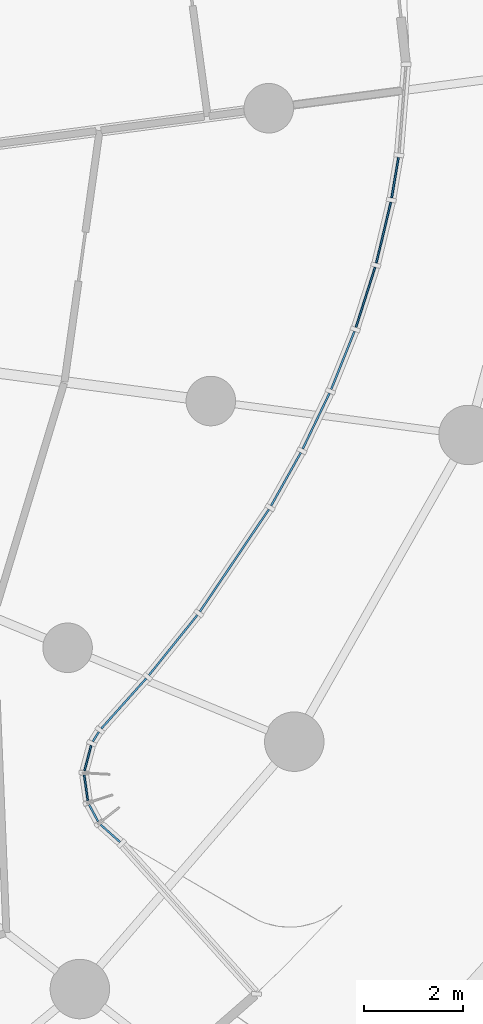
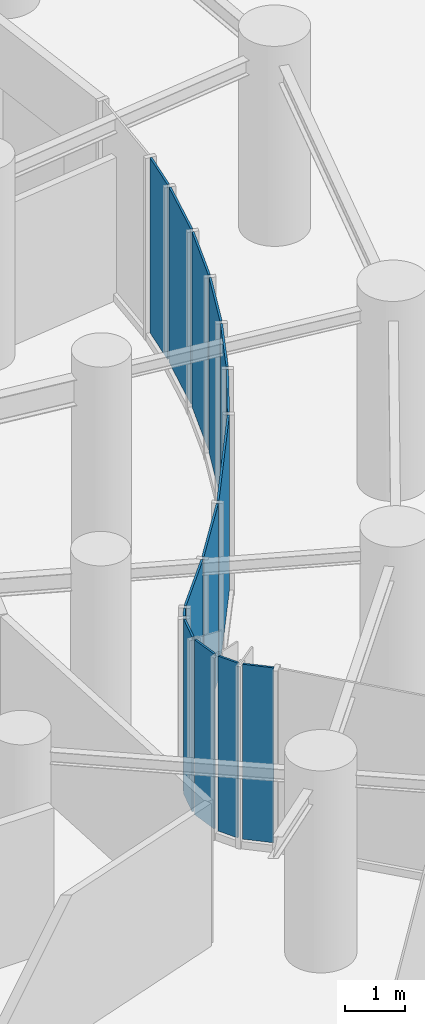
# One storey, part 10 of 24: 14 plates, 3 elements without a shape of their own.
"""IFC4 building model written with IfcOpenShell, lengths in metres."""

from ifc_helpers import new_model, si_unit, direction, frame, origin, origin_2d, place, context, subcontext, project, spatial, rectangle, extrude, source, transform, mapped, material, layer, layer_set, type_object, element, aggregate, save


model = new_model("IFC4")

# Units and contexts
model_context = context("Model", 3, precision=1e-05, world=origin(), true_north=direction((0.0, 1.0)))
body_context = subcontext(model_context, "Body", "Model", "MODEL_VIEW")
ifc_project = project(units=[si_unit("LENGTHUNIT", "METRE"), si_unit("AREAUNIT", "SQUARE_METRE"), si_unit("VOLUMEUNIT", "CUBIC_METRE"), si_unit("PLANEANGLEUNIT", "RADIAN"), si_unit("MASSUNIT", "GRAM", prefix="KILO")], contexts=[model_context])

# Site, building, storey
site_placement = place(None, origin())
site = spatial("IfcSite", under=ifc_project, at=site_placement, CompositionType="ELEMENT")
building_placement = place(site_placement, origin())
building = spatial("IfcBuilding", under=site, at=building_placement, Name="Spindrift Exchange Tower", CompositionType="ELEMENT")
storey_placement = place(building_placement, frame((0.0, 0.0, 79.800048828125)))
storey = spatial("IfcBuildingStorey", under=building, at=storey_placement, Name="L18", CompositionType="ELEMENT", Elevation=79.800048828125)

# Curtain wall, plates
ifc_material_1 = material(Name="Fritted laminated glass with bronze frame", Category="glass")
ifc_layer_1 = layer(ifc_material_1, 0.199951171875)
ifc_layer_set_1 = layer_set([ifc_layer_1], Name="SKY GARDEN BRONZE GLAZED WALL")
curtain_wall_type = type_object("IfcCurtainWallType", Name="SKY GARDEN BRONZE GLAZED WALL", PredefinedType="NOTDEFINED", material=ifc_layer_set_1)
curtain_wall_1_placement = place(storey_placement, origin())
curtain_wall_1 = element("IfcCurtainWall", 1, at=curtain_wall_1_placement, inside=storey, type_object=curtain_wall_type, Name="L18 Sky Garden Bronze Glazed Wall run 7", PredefinedType="NOTDEFINED")
ifc_material_2 = material(Name="Bronze tinted laminated glass, clear vision", Category="glass")
ifc_layer_2 = layer(ifc_material_2, 0.0380859375)
ifc_layer_set_2 = layer_set([ifc_layer_2], Name="SKY GARDEN BRONZE GLAZED WALL PANEL CLEAR 1200")
plate_type_1 = type_object("IfcPlateType", Name="SKY GARDEN BRONZE GLAZED WALL PANEL CLEAR 1200", PredefinedType="CURTAIN_PANEL", material=ifc_layer_set_2)
shared_shape_1 = source(origin(), body_context, "Body", "SweptSolid", [
    extrude(rectangle(XDim=0.52880859375, YDim=0.0380859375, at=origin_2d()), origin(), (0.0, 0.0, 1.0), 3.550048828125),
])
plate_1_placement = place(storey_placement, frame((71.835693359375, 36.39404296875, 0.14990234375), z_axis=(0.0, 0.0, 1.0), x_axis=(-0.745743502894, 0.666233163308, 0.0)))
plate_1 = element("IfcPlate", 2, at=plate_1_placement, type_object=plate_type_1, Name="L18 panel CW-G.37", PredefinedType="CURTAIN_PANEL", context=body_context, shape_type="MappedRepresentation", body=[
    mapped(shared_shape_1, transform((0.0, 0.0, 0.0), scale=1.0)),
])
shared_shape_2 = source(origin(), body_context, "Body", "SweptSolid", [
    extrude(rectangle(XDim=0.38330078125, YDim=0.0380859375, at=origin_2d()), origin(), (0.0, 0.0, 1.0), 3.550048828125),
])
plate_2_placement = place(storey_placement, frame((71.49658203125, 36.80517578125, 0.14990234375), z_axis=(0.0, 0.0, 1.0), x_axis=(-0.471130426306, 0.882063558599, 0.0)))
plate_2 = element("IfcPlate", 3, at=plate_2_placement, type_object=plate_type_1, Name="L18 panel CW-G.38", PredefinedType="CURTAIN_PANEL", context=body_context, shape_type="MappedRepresentation", body=[
    mapped(shared_shape_2, transform((0.0, 0.0, 0.0), scale=1.0)),
])
ifc_layer_3 = layer(ifc_material_2, 0.0380859375)
ifc_layer_set_3 = layer_set([ifc_layer_3], Name="SKY GARDEN BRONZE GLAZED WALL PANEL CLEAR 1560")
plate_type_2 = type_object("IfcPlateType", Name="SKY GARDEN BRONZE GLAZED WALL PANEL CLEAR 1560", PredefinedType="CURTAIN_PANEL", material=ifc_layer_set_3)
shared_shape_3 = source(origin(), body_context, "Body", "SweptSolid", [
    extrude(rectangle(XDim=0.526123046875, YDim=0.0380859375, at=origin_2d()), origin(), (0.0, 0.0, 1.0), 3.550048828125),
])
plate_3_placement = place(storey_placement, frame((71.343505859375, 37.314453125, 0.14990234375), z_axis=(0.0, 0.0, 1.0), x_axis=(-0.140047588551, 0.990144773728, 0.0)))
plate_3 = element("IfcPlate", 4, at=plate_3_placement, type_object=plate_type_2, Name="L18 panel CW-G.39", PredefinedType="CURTAIN_PANEL", context=body_context, shape_type="MappedRepresentation", body=[
    mapped(shared_shape_3, transform((0.0, 0.0, 0.0), scale=1.0)),
])
shared_shape_4 = source(origin(), body_context, "Body", "SweptSolid", [
    extrude(rectangle(XDim=0.53125, YDim=0.0380859375, at=origin_2d()), origin(), (0.0, 0.0, 1.0), 3.550048828125),
])
plate_4_placement = place(storey_placement, frame((71.37939453125, 37.914794921875, 0.14990234375), z_axis=(0.0, 0.0, 1.0), x_axis=(0.255268574007, 0.966870185249, 0.0)))
plate_4 = element("IfcPlate", 5, at=plate_4_placement, type_object=plate_type_1, Name="L18 panel CW-G.40", PredefinedType="CURTAIN_PANEL", context=body_context, shape_type="MappedRepresentation", body=[
    mapped(shared_shape_4, transform((0.0, 0.0, 0.0), scale=1.0)),
])
shared_shape_5 = source(origin(), body_context, "Body", "SweptSolid", [
    extrude(rectangle(XDim=0.2294921875, YDim=0.0380859375, at=origin_2d()), origin(), (0.0, 0.0, 1.0), 3.550048828125),
])
plate_5_placement = place(storey_placement, frame((71.54150390625, 38.34619140625, 0.14990234375), z_axis=(0.0, 0.0, 1.0), x_axis=(0.531083620885, 0.847319412989, 0.0)))
plate_5 = element("IfcPlate", 6, at=plate_5_placement, type_object=plate_type_2, Name="L18 panel CW-G.41", PredefinedType="CURTAIN_PANEL", context=body_context, shape_type="MappedRepresentation", body=[
    mapped(shared_shape_5, transform((0.0, 0.0, 0.0), scale=1.0)),
])
aggregate(curtain_wall_1, [plate_1, plate_2, plate_3, plate_4, plate_5])

curtain_wall_2_placement = place(storey_placement, origin())
curtain_wall_2 = element("IfcCurtainWall", 7, at=curtain_wall_2_placement, inside=storey, type_object=curtain_wall_type, Name="L18 Sky Garden Bronze Glazed Wall run 8", PredefinedType="NOTDEFINED")
shared_shape_6 = source(origin(), body_context, "Body", "SweptSolid", [
    extrude(rectangle(XDim=1.35791015625, YDim=0.0380859375, at=origin_2d()), origin(), (0.0, 0.0, 1.0), 3.550048828125),
])
plate_6_placement = place(storey_placement, frame((72.106201171875, 39.016845703125, 0.14990234375), z_axis=(0.0, 0.0, 1.0), x_axis=(0.667047547034, 0.745015147494, 0.0)))
plate_6 = element("IfcPlate", 8, at=plate_6_placement, type_object=plate_type_1, Name="L18 panel CW-G.42", PredefinedType="CURTAIN_PANEL", context=body_context, shape_type="MappedRepresentation", body=[
    mapped(shared_shape_6, transform((0.0, 0.0, 0.0), scale=1.0)),
])
shared_shape_7 = source(origin(), body_context, "Body", "SweptSolid", [
    extrude(rectangle(XDim=1.560791015625, YDim=0.0380859375, at=origin_2d()), origin(), (0.0, 0.0, 1.0), 3.550048828125),
])
plate_7_placement = place(storey_placement, frame((73.103515625, 40.1953125, 0.14990234375), z_axis=(0.0, 0.0, 1.0), x_axis=(0.627026741655, 0.778997731222, 0.0)))
plate_7 = element("IfcPlate", 9, at=plate_7_placement, type_object=plate_type_1, Name="L18 panel CW-G.43", PredefinedType="CURTAIN_PANEL", context=body_context, shape_type="MappedRepresentation", body=[
    mapped(shared_shape_7, transform((0.0, 0.0, 0.0), scale=1.0)),
])
ifc_layer_4 = layer(ifc_material_2, 0.0380859375)
ifc_layer_set_4 = layer_set([ifc_layer_4], Name="SKY GARDEN BRONZE GLAZED WALL PANEL CLEAR 1920")
plate_type_3 = type_object("IfcPlateType", Name="SKY GARDEN BRONZE GLAZED WALL PANEL CLEAR 1920", PredefinedType="CURTAIN_PANEL", material=ifc_layer_set_4)
shared_shape_8 = source(origin(), body_context, "Body", "SweptSolid", [
    extrude(rectangle(XDim=2.489501953125, YDim=0.0380859375, at=origin_2d()), origin(), (0.0, 0.0, 1.0), 3.550048828125),
])
plate_8_placement = place(storey_placement, frame((74.33935546875, 41.903564453125, 0.14990234375), z_axis=(0.0, 0.0, 1.0), x_axis=(0.55923631101, 0.829008292147, 0.0)))
plate_8 = element("IfcPlate", 10, at=plate_8_placement, type_object=plate_type_3, Name="L18 panel CW-G.44", PredefinedType="CURTAIN_PANEL", context=body_context, shape_type="MappedRepresentation", body=[
    mapped(shared_shape_8, transform((0.0, 0.0, 0.0), scale=1.0)),
])
shared_shape_9 = source(origin(), body_context, "Body", "SweptSolid", [
    extrude(rectangle(XDim=1.228515625, YDim=0.0380859375, at=origin_2d()), origin(), (0.0, 0.0, 1.0), 3.550048828125),
])
plate_9_placement = place(storey_placement, frame((75.37939453125, 43.543701171875, 0.14990234375), z_axis=(0.0, 0.0, 1.0), x_axis=(0.487826140978, 0.872940809092, 0.0)))
plate_9 = element("IfcPlate", 11, at=plate_9_placement, type_object=plate_type_2, Name="L18 panel CW-G.45", PredefinedType="CURTAIN_PANEL", context=body_context, shape_type="MappedRepresentation", body=[
    mapped(shared_shape_9, transform((0.0, 0.0, 0.0), scale=1.0)),
])
shared_shape_10 = source(origin(), body_context, "Body", "SweptSolid", [
    extrude(rectangle(XDim=1.246826171875, YDim=0.0380859375, at=origin_2d()), origin(), (0.0, 0.0, 1.0), 3.550048828125),
])
plate_10_placement = place(storey_placement, frame((75.98828125, 44.71728515625, 0.14990234375), z_axis=(0.0, 0.0, 1.0), x_axis=(0.433133737123, 0.90132966542, 0.0)))
plate_10 = element("IfcPlate", 12, at=plate_10_placement, type_object=plate_type_2, Name="L18 panel CW-G.46", PredefinedType="CURTAIN_PANEL", context=body_context, shape_type="MappedRepresentation", body=[
    mapped(shared_shape_10, transform((0.0, 0.0, 0.0), scale=1.0)),
])
shared_shape_11 = source(origin(), body_context, "Body", "SweptSolid", [
    extrude(rectangle(XDim=1.2626953125, YDim=0.0380859375, at=origin_2d()), origin(), (0.0, 0.0, 1.0), 3.550048828125),
])
plate_11_placement = place(storey_placement, frame((76.527587890625, 45.943115234375, 0.14990234375), z_axis=(0.0, 0.0, 1.0), x_axis=(0.372310782639, 0.928108119311, 0.0)))
plate_11 = element("IfcPlate", 13, at=plate_11_placement, type_object=plate_type_2, Name="L18 panel CW-G.47", PredefinedType="CURTAIN_PANEL", context=body_context, shape_type="MappedRepresentation", body=[
    mapped(shared_shape_11, transform((0.0, 0.0, 0.0), scale=1.0)),
])
aggregate(curtain_wall_2, [plate_6, plate_7, plate_8, plate_9, plate_10, plate_11])

curtain_wall_3_placement = place(storey_placement, origin())
curtain_wall_3 = element("IfcCurtainWall", 14, at=curtain_wall_3_placement, inside=storey, type_object=curtain_wall_type, Name="L18 Sky Garden Bronze Glazed Wall run 9", PredefinedType="NOTDEFINED")
shared_shape_12 = source(origin(), body_context, "Body", "SweptSolid", [
    extrude(rectangle(XDim=1.27587890625, YDim=0.0380859375, at=origin_2d()), origin(), (0.0, 0.0, 1.0), 3.550048828125),
])
plate_12_placement = place(storey_placement, frame((76.986083984375, 47.216552734375, 0.14990234375), z_axis=(0.0, 0.0, 1.0), x_axis=(0.305095342005, 0.952321811305, 0.0)))
plate_12 = element("IfcPlate", 15, at=plate_12_placement, type_object=plate_type_2, Name="L18 panel CW-G.48", PredefinedType="CURTAIN_PANEL", context=body_context, shape_type="MappedRepresentation", body=[
    mapped(shared_shape_12, transform((0.0, 0.0, 0.0), scale=1.0)),
])
shared_shape_13 = source(origin(), body_context, "Body", "SweptSolid", [
    extrude(rectangle(XDim=1.26611328125, YDim=0.0380859375, at=origin_2d()), origin(), (0.0, 0.0, 1.0), 3.550048828125),
])
plate_13_placement = place(storey_placement, frame((77.35009765625, 48.521728515625, 0.14990234375), z_axis=(0.0, 0.0, 1.0), x_axis=(0.231567931224, 0.97281873606, 0.0)))
plate_13 = element("IfcPlate", 16, at=plate_13_placement, type_object=plate_type_2, Name="L18 panel CW-G.49", PredefinedType="CURTAIN_PANEL", context=body_context, shape_type="MappedRepresentation", body=[
    mapped(shared_shape_13, transform((0.0, 0.0, 0.0), scale=1.0)),
])
shared_shape_14 = source(origin(), body_context, "Body", "SweptSolid", [
    extrude(rectangle(XDim=0.83251953125, YDim=0.0380859375, at=origin_2d()), origin(), (0.0, 0.0, 1.0), 3.550048828125),
])
plate_14_placement = place(storey_placement, frame((77.58251953125, 49.631591796875, 0.14990234375), z_axis=(0.0, 0.0, 1.0), x_axis=(0.16544179169, 0.986219556469, 0.0)))
plate_14 = element("IfcPlate", 17, at=plate_14_placement, type_object=plate_type_2, Name="L18 panel CW-G.50", PredefinedType="CURTAIN_PANEL", context=body_context, shape_type="MappedRepresentation", body=[
    mapped(shared_shape_14, transform((0.0, 0.0, 0.0), scale=1.0)),
])
aggregate(curtain_wall_3, [plate_12, plate_13, plate_14])

save(model, "model.ifc")
